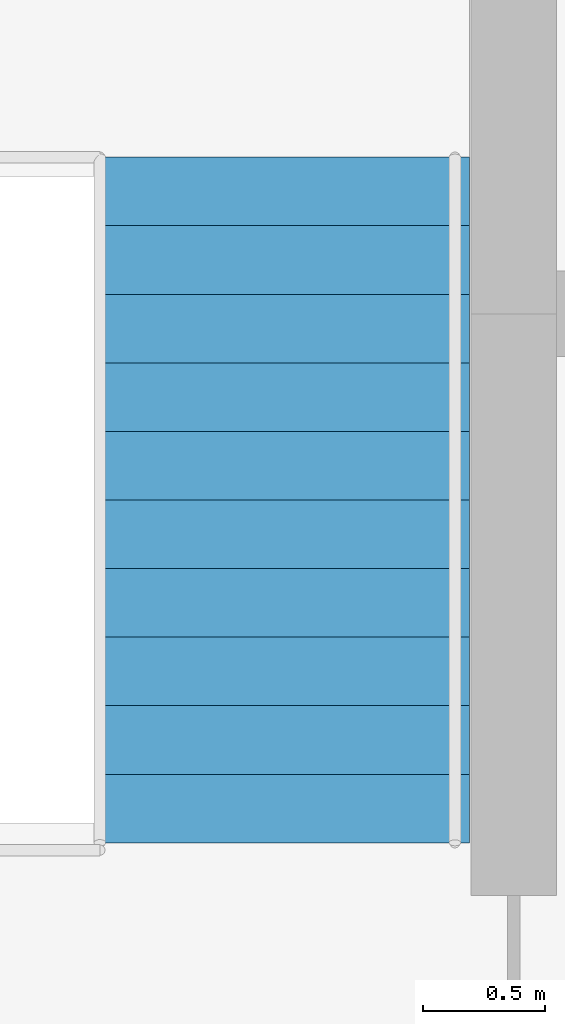
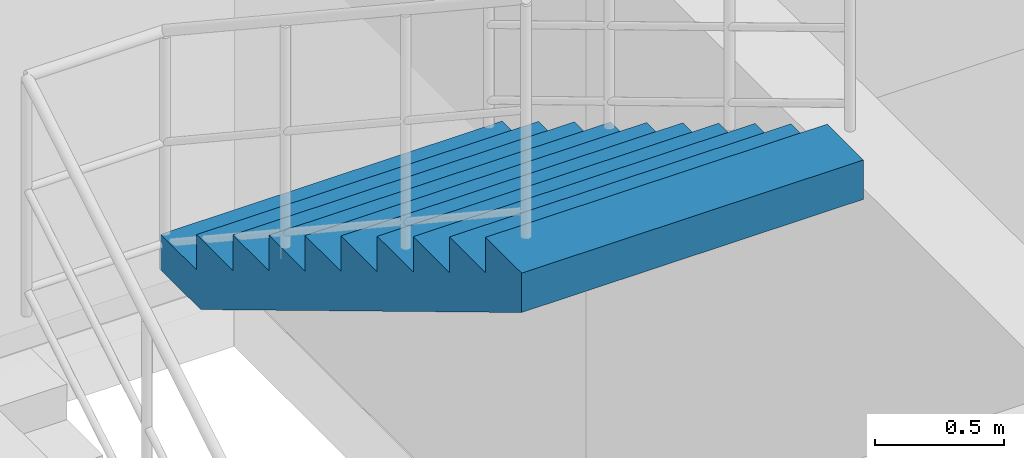
# One storey, part 26 of 27: 1 stair flight, 1 element without a shape of its own.
"""IFC4 building model written with IfcOpenShell, lengths in metres."""

from ifc_helpers import new_model, si_unit, direction, frame, origin, place, context, subcontext, project, spatial, polyline, outline, extrude, material, type_object, element, aggregate, save


model = new_model("IFC4")

# Units and contexts
model_context = context("Model", 3, precision=1e-05, world=origin(), true_north=direction((0.0, 1.0)))
body_context = subcontext(model_context, "Body", "Model", "MODEL_VIEW")
ifc_project = project(units=[si_unit("LENGTHUNIT", "METRE"), si_unit("AREAUNIT", "SQUARE_METRE"), si_unit("VOLUMEUNIT", "CUBIC_METRE"), si_unit("PLANEANGLEUNIT", "RADIAN"), si_unit("MASSUNIT", "GRAM", prefix="KILO")], contexts=[model_context])

# Site, building, storey
site_placement = place(None, origin())
site = spatial("IfcSite", under=ifc_project, at=site_placement, CompositionType="ELEMENT")
building_placement = place(site_placement, origin())
building = spatial("IfcBuilding", under=site, at=building_placement, Name="Keshet Zoharim Tower", CompositionType="ELEMENT")
storey_placement = place(building_placement, frame((0.0, 0.0, 307.300048828125)))
storey = spatial("IfcBuildingStorey", under=building, at=storey_placement, Name="L77", CompositionType="ELEMENT", Elevation=307.300048828125)

# Stair, stair flight
ifc_material = material(Name="Concrete C50/60", Category="concrete")
stair_type = type_object("IfcStairType", Name="STR-EXIT-135", PredefinedType="HALF_TURN_STAIR", material=ifc_material)
stair_placement = place(storey_placement, origin())
stair = element("IfcStair", 1, at=stair_placement, inside=storey, type_object=stair_type, Name="L77 Enclosed Exit Stair ST-02", PredefinedType="HALF_TURN_STAIR")
stair_flight_type = type_object("IfcStairFlightType", Name="FLT-PRE-135", PredefinedType="STRAIGHT", material=ifc_material)
stair_flight_placement = place(storey_placement, frame((18.054931640625, 35.639892578125, 1.849853515625), z_axis=(0.0, 0.0, 1.0), x_axis=(0.0, -1.0, 0.0)))
stair_flight = element("IfcStairFlight", 2, at=stair_flight_placement, type_object=stair_flight_type, Name="ST-02 flight 2", NumberOfRisers=11, NumberOfTreads=10, PredefinedType="STRAIGHT", RiserHeight=0.168182, TreadLength=0.28, context=body_context, shape_type="SweptSolid", body=[
    extrude(outline(polyline([(0.0, 0.0), (0.0, 0.168212890625), (0.280029296875, 0.168212890625), (0.280029296875, 0.33642578125), (0.56005859375, 0.33642578125), (0.56005859375, 0.504638671875), (0.840087890625, 0.504638671875), (0.840087890625, 0.672607421875), (1.1201171875, 0.672607421875), (1.1201171875, 0.8408203125), (1.39990234375, 0.8408203125), (1.39990234375, 1.009033203125), (1.679931640625, 1.009033203125), (1.679931640625, 1.17724609375), (1.9599609375, 1.17724609375), (1.9599609375, 1.345458984375), (2.239990234375, 1.345458984375), (2.239990234375, 1.513671875), (2.52001953125, 1.513671875), (2.52001953125, 1.681884765625), (2.800048828125, 1.681884765625), (2.800048828125, 1.85009765625), (2.800048828125, 1.495361328125), (0.310546875, 0.0), (0.0, 0.0)])), frame((0.0, 0.76513671875, 0.0), z_axis=(0.0, -1.0, 0.0), x_axis=(1.0, 0.0, 0.0)), (0.0, 0.0, 1.0), 1.530029296875),
])
aggregate(stair, [stair_flight])

save(model, "model.ifc")
